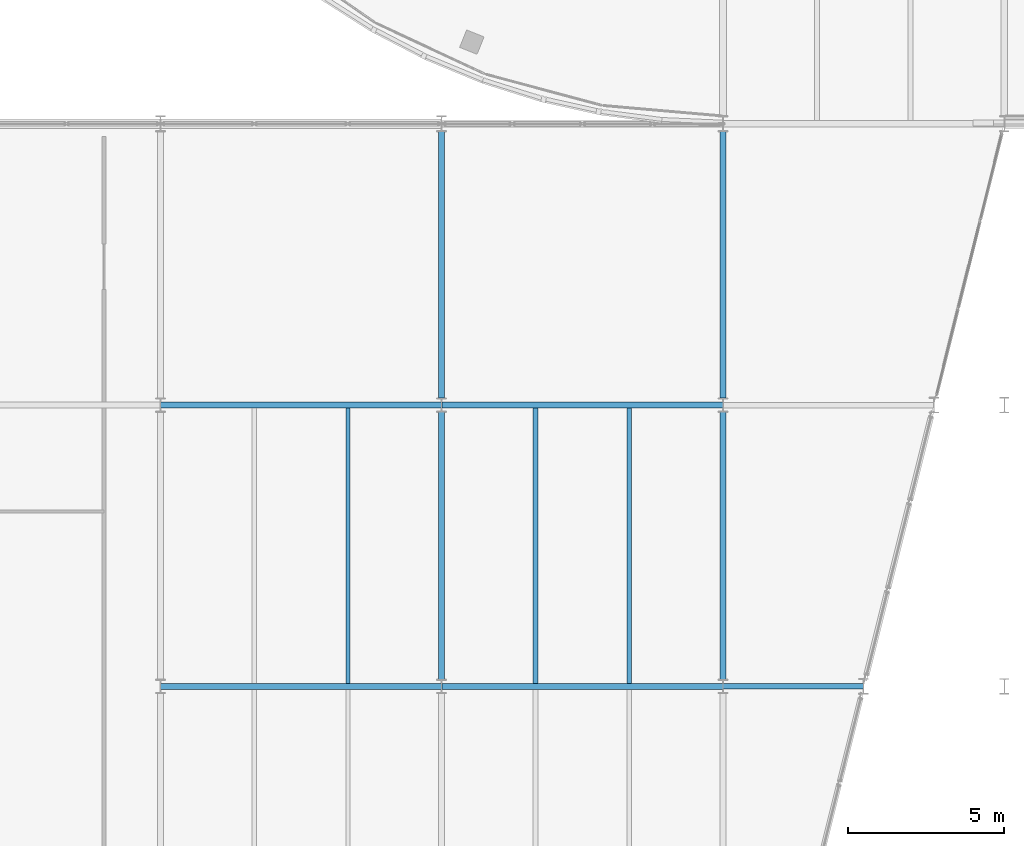
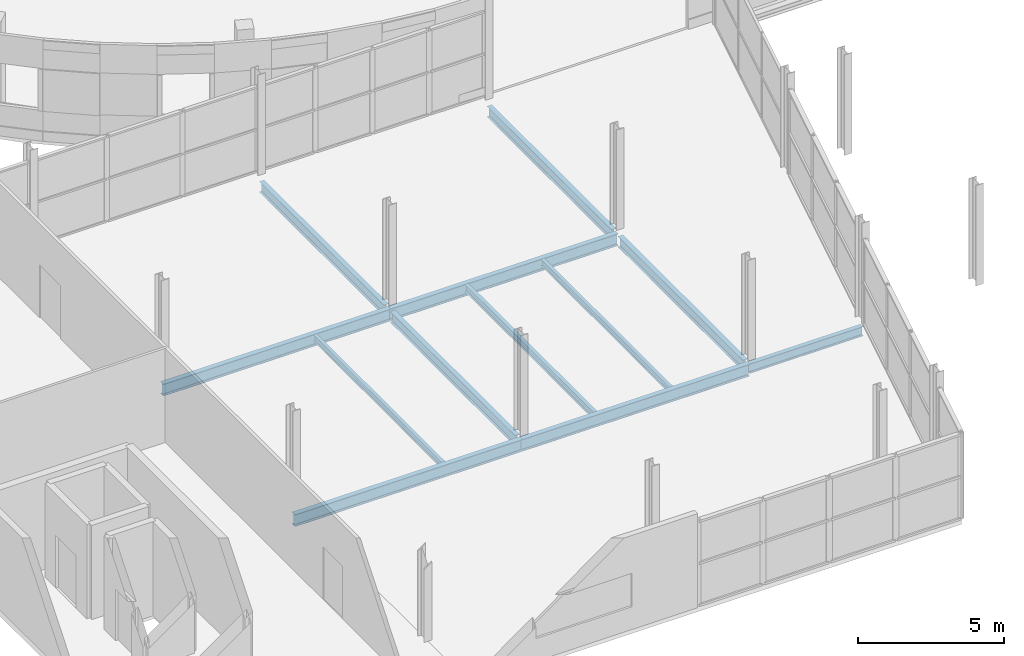
# One storey, part 68 of 132: 12 beams.
"""IFC4 building model written with IfcOpenShell, lengths in metres."""

from ifc_helpers import new_model, si_unit, direction, frame, origin, origin_2d, place, context, subcontext, project, spatial, i_section, extrude, material, material_profile, profile_set, type_object, element, save


model = new_model("IFC4")

# Units and contexts
model_context = context("Model", 3, precision=1e-05, world=origin(), true_north=direction((0.0, 1.0)))
body_context = subcontext(model_context, "Body", "Model", "MODEL_VIEW")
ifc_project = project(units=[si_unit("LENGTHUNIT", "METRE"), si_unit("AREAUNIT", "SQUARE_METRE"), si_unit("VOLUMEUNIT", "CUBIC_METRE"), si_unit("PLANEANGLEUNIT", "RADIAN"), si_unit("MASSUNIT", "GRAM", prefix="KILO")], contexts=[model_context])

# Site, building, storey
site_placement = place(None, origin())
site = spatial("IfcSite", under=ifc_project, at=site_placement, CompositionType="ELEMENT")
building_placement = place(site_placement, origin())
building = spatial("IfcBuilding", under=site, at=building_placement, Name="Deido Ridge Mobility Hub", CompositionType="ELEMENT")
storey_placement = place(building_placement, frame((0.0, 0.0, 8.39990234375)))
storey = spatial("IfcBuildingStorey", under=building, at=storey_placement, Name="L02", CompositionType="ELEMENT", Elevation=8.39990234375)

# Beams
ifc_material = material(Name="Steel S355J2 EN 10025-2", Category="steel")
ifc_material_profile_1 = material_profile(ifc_material, i_section(OverallWidth=0.179931640625, OverallDepth=0.39990234375, WebThickness=0.008544921875, FlangeThickness=0.013427734375, FilletRadius=0.02099609375, at=origin_2d()), Name="IPE 400")
ifc_profile_set_1 = profile_set([ifc_material_profile_1], Name="Steel S355J2 EN 10025-2")
beam_type_1 = type_object("IfcBeamType", Name="BM-IPE400", PredefinedType="BEAM", material=ifc_profile_set_1)
beam_1_placement = place(storey_placement, frame((45.007080078125, 63.0, -0.454833984375), z_axis=(1.0, 0.0, 0.0), x_axis=(0.0, 1.0, 0.0)))
element("IfcBeam", 1, at=beam_1_placement, inside=storey, type_object=beam_type_1, Name="Floor beam B5", PredefinedType="BEAM", context=body_context, shape_type="SweptSolid", body=[
    extrude(i_section(OverallWidth=0.179931640625, OverallDepth=0.39990234375, WebThickness=0.008544921875, FlangeThickness=0.013427734375, FilletRadius=0.02099609375, at=origin_2d()), origin(), (0.0, 0.0, 1.0), 4.48583984375),
])
ifc_material_profile_2 = material_profile(ifc_material, i_section(OverallWidth=0.18994140625, OverallDepth=0.449951171875, WebThickness=0.009521484375, FlangeThickness=0.0146484375, FilletRadius=0.02099609375, at=origin_2d()), Name="IPE 450")
ifc_profile_set_2 = profile_set([ifc_material_profile_2], Name="Steel S355J2 EN 10025-2")
beam_type_2 = type_object("IfcBeamType", Name="BM-IPE450", PredefinedType="BEAM", material=ifc_profile_set_2)
beam_2_placement = place(storey_placement, frame((36.0, 63.22509765625, -0.47998046875), z_axis=(0.0, 1.0, 0.0), x_axis=(-1.0, 0.0, 0.0)))
element("IfcBeam", 2, at=beam_2_placement, inside=storey, type_object=beam_type_2, Name="Floor beam B4", PredefinedType="BEAM", context=body_context, shape_type="SweptSolid", body=[
    extrude(i_section(OverallWidth=0.18994140625, OverallDepth=0.449951171875, WebThickness=0.009521484375, FlangeThickness=0.0146484375, FilletRadius=0.02099609375, at=origin_2d()), origin(), (0.0, 0.0, 1.0), 8.5498046875),
])
beam_3_placement = place(storey_placement, frame((36.0, 72.22509765625, -0.47998046875), z_axis=(0.0, 1.0, 0.0), x_axis=(-1.0, 0.0, 0.0)))
element("IfcBeam", 3, at=beam_3_placement, inside=storey, type_object=beam_type_2, Name="Floor beam B4", PredefinedType="BEAM", context=body_context, shape_type="SweptSolid", body=[
    extrude(i_section(OverallWidth=0.18994140625, OverallDepth=0.449951171875, WebThickness=0.009521484375, FlangeThickness=0.0146484375, FilletRadius=0.02099609375, at=origin_2d()), origin(), (0.0, 0.0, 1.0), 8.52490234375),
])
beam_4_placement = place(storey_placement, frame((45.0, 63.22509765625, -0.47998046875), z_axis=(0.0, 1.0, 0.0), x_axis=(-1.0, 0.0, 0.0)))
element("IfcBeam", 4, at=beam_4_placement, inside=storey, type_object=beam_type_2, Name="Floor beam B4", PredefinedType="BEAM", context=body_context, shape_type="SweptSolid", body=[
    extrude(i_section(OverallWidth=0.18994140625, OverallDepth=0.449951171875, WebThickness=0.009521484375, FlangeThickness=0.0146484375, FilletRadius=0.02099609375, at=origin_2d()), origin(), (0.0, 0.0, 1.0), 8.5498046875),
])
beam_5_placement = place(storey_placement, frame((45.0, 72.22509765625, -0.47998046875), z_axis=(0.0, 1.0, 0.0), x_axis=(-1.0, 0.0, 0.0)))
element("IfcBeam", 5, at=beam_5_placement, inside=storey, type_object=beam_type_2, Name="Floor beam B4", PredefinedType="BEAM", context=body_context, shape_type="SweptSolid", body=[
    extrude(i_section(OverallWidth=0.18994140625, OverallDepth=0.449951171875, WebThickness=0.009521484375, FlangeThickness=0.0146484375, FilletRadius=0.02099609375, at=origin_2d()), origin(), (0.0, 0.0, 1.0), 8.52490234375),
])
ifc_material_profile_3 = material_profile(ifc_material, i_section(OverallWidth=0.199951171875, OverallDepth=0.5, WebThickness=0.01025390625, FlangeThickness=0.01611328125, FilletRadius=0.02099609375, at=origin_2d()), Name="IPE 500")
ifc_profile_set_3 = profile_set([ifc_material_profile_3], Name="Steel S355J2 EN 10025-2")
beam_type_3 = type_object("IfcBeamType", Name="BM-IPE500", PredefinedType="BEAM", material=ifc_profile_set_3)
for number, where, z_axis, x_axis, name in (
    (6, (27.007080078125, 63.0, -0.5048828125), (1.0, 0.0, 0.0), (0.0, 1.0, 0.0), "Floor beam B3"),
    (7, (36.007080078125, 63.0, -0.5048828125), (1.0, 0.0, 0.0), (0.0, 1.0, 0.0), "Floor beam B3"),
    (8, (27.007080078125, 72.0, -0.5048828125), (1.0, 0.0, 0.0), (0.0, 1.0, 0.0), "Floor beam B3"),
    (9, (36.007080078125, 72.0, -0.5048828125), (1.0, 0.0, 0.0), (0.0, 1.0, 0.0), "Floor beam B3"),
):
    element("IfcBeam", number, at=place(storey_placement, frame(where, z_axis=z_axis, x_axis=x_axis)), inside=storey, type_object=beam_type_3, Name=name, PredefinedType="BEAM", context=body_context, shape_type="SweptSolid", body=[
        extrude(i_section(OverallWidth=0.199951171875, OverallDepth=0.5, WebThickness=0.01025390625, FlangeThickness=0.01611328125, FilletRadius=0.02099609375, at=origin_2d()), origin(), (0.0, 0.0, 1.0), 8.98583984375),
    ])
ifc_material_profile_4 = material_profile(ifc_material, i_section(OverallWidth=0.135009765625, OverallDepth=0.27001953125, WebThickness=0.006591796875, FlangeThickness=0.01025390625, FilletRadius=0.014892578125, at=origin_2d()), Name="IPE 270")
ifc_profile_set_4 = profile_set([ifc_material_profile_4], Name="Steel S355J2 EN 10025-2")
beam_type_4 = type_object("IfcBeamType", Name="JST-IPE270", PredefinedType="JOIST", material=ifc_profile_set_4)
for number, where, z_axis, x_axis, name in (
    (10, (33.0, 63.10009765625, -0.389892578125), (0.0, 1.0, 0.0), (-1.0, 0.0, 0.0), "Composite joist J4"),
    (11, (42.0, 63.10009765625, -0.389892578125), (0.0, 1.0, 0.0), (-1.0, 0.0, 0.0), "Composite joist J4"),
):
    element("IfcBeam", number, at=place(storey_placement, frame(where, z_axis=z_axis, x_axis=x_axis)), inside=storey, type_object=beam_type_4, Name=name, PredefinedType="JOIST", context=body_context, shape_type="SweptSolid", body=[
        extrude(i_section(OverallWidth=0.135009765625, OverallDepth=0.27001953125, WebThickness=0.006591796875, FlangeThickness=0.01025390625, FilletRadius=0.014892578125, at=origin_2d()), origin(), (0.0, 0.0, 1.0), 8.7998046875),
    ])
ifc_material_profile_5 = material_profile(ifc_material, i_section(OverallWidth=0.14990234375, OverallDepth=0.300048828125, WebThickness=0.007080078125, FlangeThickness=0.0107421875, FilletRadius=0.014892578125, at=origin_2d()), Name="IPE 300")
ifc_profile_set_5 = profile_set([ifc_material_profile_5], Name="Steel S355J2 EN 10025-2")
beam_type_5 = type_object("IfcBeamType", Name="JST-IPE300", PredefinedType="JOIST", material=ifc_profile_set_5)
beam_6_placement = place(storey_placement, frame((39.0, 63.10009765625, -0.40478515625), z_axis=(0.0, 1.0, 0.0), x_axis=(-1.0, 0.0, 0.0)))
element("IfcBeam", 12, at=beam_6_placement, inside=storey, type_object=beam_type_5, Name="Composite joist J3", PredefinedType="JOIST", context=body_context, shape_type="SweptSolid", body=[
    extrude(i_section(OverallWidth=0.14990234375, OverallDepth=0.300048828125, WebThickness=0.007080078125, FlangeThickness=0.0107421875, FilletRadius=0.014892578125, at=origin_2d()), origin(), (0.0, 0.0, 1.0), 8.7998046875),
])

save(model, "model.ifc")
